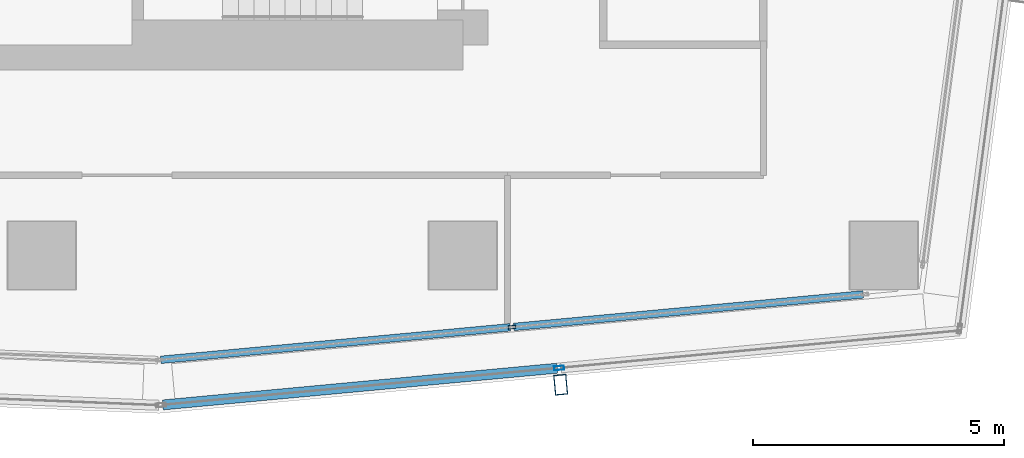
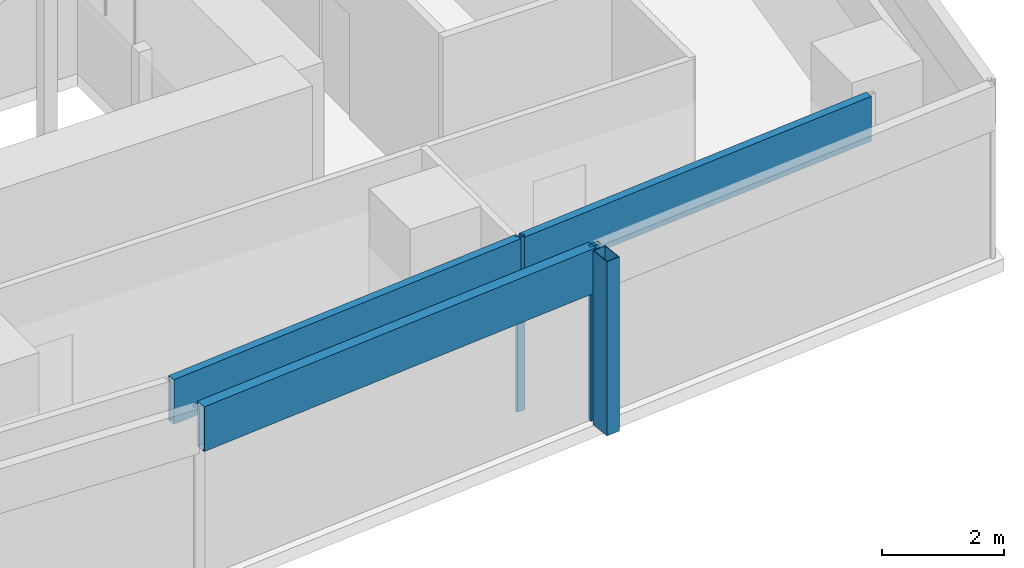
# One storey, part 11 of 38: 6 members, 2 elements without a shape of their own.
"""IFC4 building model written with IfcOpenShell, lengths in metres."""

from ifc_helpers import new_model, si_unit, direction, frame, origin, origin_2d, place, context, subcontext, project, spatial, hollow_rectangle, extrude, material, material_profile, profile_set, type_object, element, aggregate, save


model = new_model("IFC4")

# Units and contexts
model_context = context("Model", 3, precision=1e-05, world=origin(), true_north=direction((0.0, 1.0)))
body_context = subcontext(model_context, "Body", "Model", "MODEL_VIEW")
ifc_project = project(units=[si_unit("LENGTHUNIT", "METRE"), si_unit("AREAUNIT", "SQUARE_METRE"), si_unit("VOLUMEUNIT", "CUBIC_METRE"), si_unit("PLANEANGLEUNIT", "RADIAN"), si_unit("MASSUNIT", "GRAM", prefix="KILO")], contexts=[model_context])

# Site, building, storey
site_placement = place(None, origin())
site = spatial("IfcSite", under=ifc_project, at=site_placement, CompositionType="ELEMENT")
building_placement = place(site_placement, origin())
building = spatial("IfcBuilding", under=site, at=building_placement, Name="Rekha Terrace Tower", CompositionType="ELEMENT")
storey_placement = place(building_placement, frame((0.0, 0.0, 202.699951171875)))
storey = spatial("IfcBuildingStorey", under=building, at=storey_placement, Name="L51", CompositionType="ELEMENT", Elevation=202.699951171875)

# Curtain wall, member
ifc_material_1 = material(Name="Aluminium framing", Category="aluminium")
curtain_wall_type_1 = type_object("IfcCurtainWallType", Name="CW2 double skin outer glazing", PredefinedType="USERDEFINED", material=ifc_material_1)
curtain_wall_1_placement = place(storey_placement, origin())
curtain_wall_1 = element("IfcCurtainWall", 1, at=curtain_wall_1_placement, inside=storey, type_object=curtain_wall_type_1, Name="CW2 double skin outer glazing", ObjectType="DOUBLE SKIN OUTER GLAZING", PredefinedType="USERDEFINED")
ifc_material_2 = material(Name="Steel S355 with fluorocarbon finish", Category="steel")
ifc_material_profile_1 = material_profile(ifc_material_2, hollow_rectangle(XDim=0.25, YDim=0.39990234375, WallThickness=0.012451171875, at=origin_2d()), Name="RHS400x250x12.5")
ifc_profile_set_1 = profile_set([ifc_material_profile_1], Name="Steel S355 with fluorocarbon finish")
member_type_1 = type_object("IfcMemberType", Name="BL1 facade blade RHS 400 x 250", PredefinedType="USERDEFINED", material=ifc_profile_set_1)
member_1_placement = place(storey_placement, frame((52.35302734375, 14.22021484375, 0.0), z_axis=(0.0, 0.0, 1.0), x_axis=(0.995693203185, 0.092709466242, 0.0)))
member_1 = element("IfcMember", 2, at=member_1_placement, type_object=member_type_1, Name="Facade blade", ObjectType="FACADE BLADE", PredefinedType="USERDEFINED", context=body_context, shape_type="SweptSolid", body=[
    extrude(hollow_rectangle(XDim=0.25, YDim=0.39990234375, WallThickness=0.012451171875, at=origin_2d()), origin(), (0.0, 0.0, 1.0), 3.5),
])

# Curtain wall, members
curtain_wall_type_2 = type_object("IfcCurtainWallType", Name="CW1 double skin inner glazing", PredefinedType="USERDEFINED", material=ifc_material_1)
curtain_wall_2_placement = place(storey_placement, origin())
curtain_wall_2 = element("IfcCurtainWall", 3, at=curtain_wall_2_placement, inside=storey, type_object=curtain_wall_type_2, Name="CW1 double skin inner glazing", ObjectType="DOUBLE SKIN INNER GLAZING", PredefinedType="USERDEFINED")
ifc_material_3 = material(Name="Aluminium mullion section", Category="aluminium")
ifc_material_profile_2 = material_profile(ifc_material_3, hollow_rectangle(XDim=0.06494140625, YDim=0.14990234375, WallThickness=0.00390625, at=origin_2d()), Name="AL RHS 65x150")
ifc_profile_set_2 = profile_set([ifc_material_profile_2], Name="Aluminium mullion section")
member_type_2 = type_object("IfcMemberType", Name="CW1 mullion RHS 65 x 150", PredefinedType="MULLION", material=ifc_profile_set_2)
member_2_placement = place(storey_placement, frame((51.3818359375, 15.370361328125, 0.0), z_axis=(0.0, 0.0, 1.0), x_axis=(-0.092708869564, 0.995693258742, 0.0)))
member_2 = element("IfcMember", 4, at=member_2_placement, type_object=member_type_2, Name="CW1 mullion 2", PredefinedType="MULLION", context=body_context, shape_type="SweptSolid", body=[
    extrude(hollow_rectangle(XDim=0.06494140625, YDim=0.14990234375, WallThickness=0.00390625, at=origin_2d()), origin(), (0.0, 0.0, 1.0), 3.5),
])
ifc_material_4 = material(Name="Insulated aluminium spandrel box", Category="aluminium")
ifc_material_profile_3 = material_profile(ifc_material_4, hollow_rectangle(XDim=0.14990234375, YDim=0.89990234375, WallThickness=0.0029296875, at=origin_2d()), Name="AL SPANDREL BOX 150x900")
ifc_profile_set_3 = profile_set([ifc_material_profile_3], Name="Insulated aluminium spandrel box")
member_type_3 = type_object("IfcMemberType", Name="CW1 spandrel transom 150 x 900", PredefinedType="USERDEFINED", material=ifc_profile_set_3)
member_3_placement = place(storey_placement, frame((44.376708984375, 14.718017578125, 3.050048828125), z_axis=(0.995694259474, 0.092698121072, 0.0), x_axis=(-0.092698121072, 0.995694259474, 0.0)))
member_3 = element("IfcMember", 5, at=member_3_placement, type_object=member_type_3, Name="CW1 spandrel transom 1", ObjectType="TRANSOM", PredefinedType="USERDEFINED", context=body_context, shape_type="SweptSolid", body=[
    extrude(hollow_rectangle(XDim=0.14990234375, YDim=0.89990234375, WallThickness=0.0029296875, at=origin_2d()), origin(), (0.0, 0.0, 1.0), 7.003173828125),
])
member_4_placement = place(storey_placement, frame((51.414306640625, 15.373291015625, 3.050048828125), z_axis=(0.995694259474, 0.092698121072, 0.0), x_axis=(-0.092698121072, 0.995694259474, 0.0)))
member_4 = element("IfcMember", 6, at=member_4_placement, type_object=member_type_3, Name="CW1 spandrel transom 2", ObjectType="TRANSOM", PredefinedType="USERDEFINED", context=body_context, shape_type="SweptSolid", body=[
    extrude(hollow_rectangle(XDim=0.14990234375, YDim=0.89990234375, WallThickness=0.0029296875, at=origin_2d()), origin(), (0.0, 0.0, 1.0), 7.003173828125),
])
aggregate(curtain_wall_2, [member_2, member_3, member_4])

# Member
ifc_material_profile_4 = material_profile(ifc_material_3, hollow_rectangle(XDim=0.080078125, YDim=0.199951171875, WallThickness=0.00390625, at=origin_2d()), Name="AL RHS 80x200")
ifc_profile_set_4 = profile_set([ifc_material_profile_4], Name="Aluminium mullion section")
member_type_4 = type_object("IfcMemberType", Name="CW2 mullion RHS 80 x 200", PredefinedType="MULLION", material=ifc_profile_set_4)
member_5_placement = place(storey_placement, frame((52.322021484375, 14.553955078125, 0.0), z_axis=(0.0, 0.0, 1.0), x_axis=(-0.092708869512, 0.995693258747, 0.0)))
member_5 = element("IfcMember", 7, at=member_5_placement, type_object=member_type_4, Name="CW2 mullion 2", PredefinedType="MULLION", context=body_context, shape_type="SweptSolid", body=[
    extrude(hollow_rectangle(XDim=0.080078125, YDim=0.199951171875, WallThickness=0.00390625, at=origin_2d()), origin(), (0.0, 0.0, 1.0), 3.5),
])

ifc_material_profile_5 = material_profile(ifc_material_4, hollow_rectangle(XDim=0.199951171875, YDim=0.89990234375, WallThickness=0.0029296875, at=origin_2d()), Name="AL SPANDREL BOX 200x900")
ifc_profile_set_5 = profile_set([ifc_material_profile_5], Name="Insulated aluminium spandrel box")
member_type_5 = type_object("IfcMemberType", Name="CW2 spandrel transom 200 x 900", PredefinedType="USERDEFINED", material=ifc_profile_set_5)
member_6_placement = place(storey_placement, frame((44.41552734375, 13.817626953125, 3.050048828125), z_axis=(0.995690937161, 0.092733799963, 0.0), x_axis=(-0.092733799963, 0.995690937161, 0.0)))
member_6 = element("IfcMember", 8, at=member_6_placement, type_object=member_type_5, Name="CW2 spandrel transom 1", ObjectType="TRANSOM", PredefinedType="USERDEFINED", context=body_context, shape_type="SweptSolid", body=[
    extrude(hollow_rectangle(XDim=0.199951171875, YDim=0.89990234375, WallThickness=0.0029296875, at=origin_2d()), origin(), (0.0, 0.0, 1.0), 7.900634765625),
])

aggregate(curtain_wall_1, [member_5, member_6, member_1])

save(model, "model.ifc")
